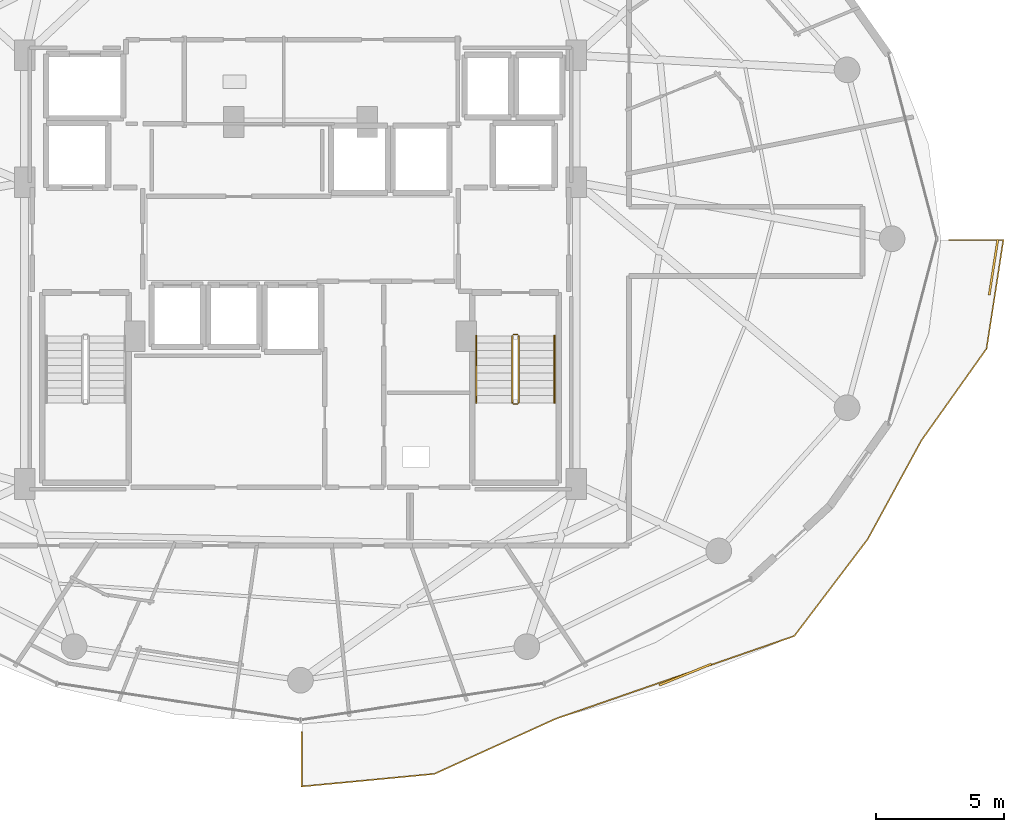
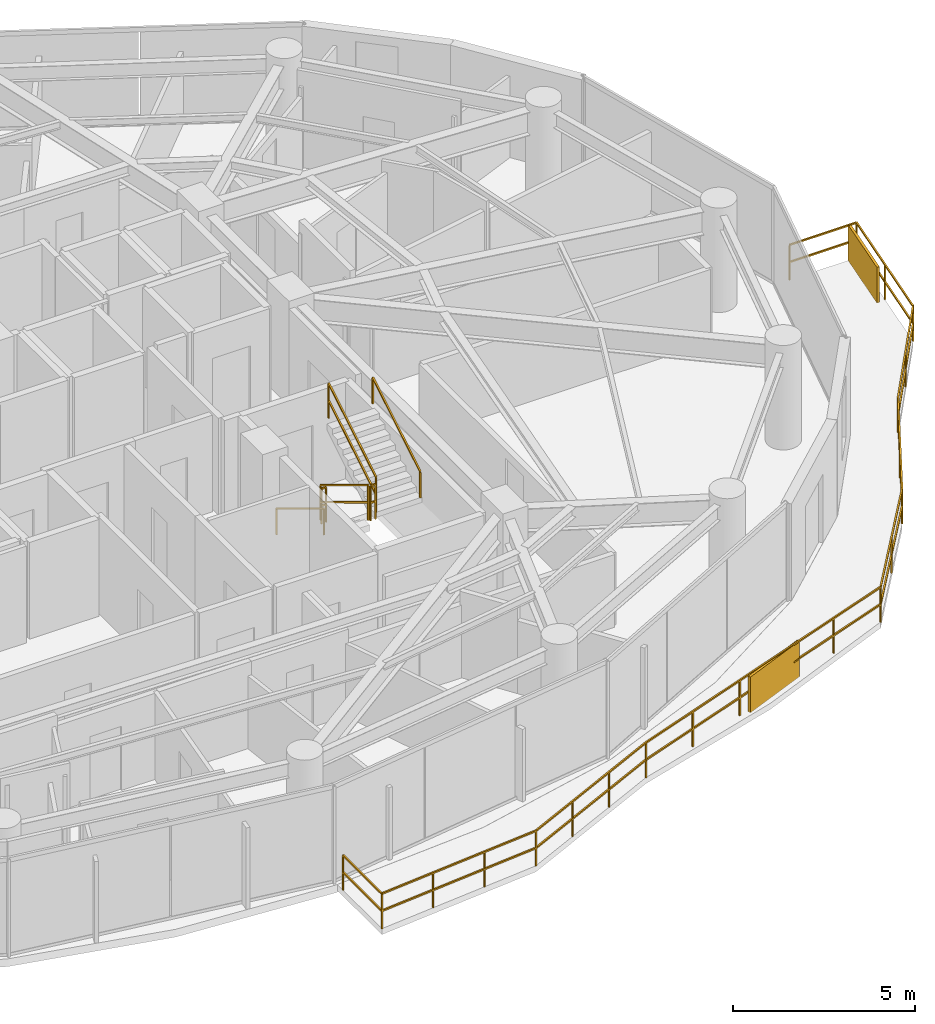
# One storey, part 28 of 30: 8 railings, 2 shading devices.
"""IFC4 building model written with IfcOpenShell, lengths in metres."""

from ifc_helpers import new_model, si_unit, direction, frame, origin, origin_2d, place, context, subcontext, project, spatial, rectangle, extrude, material, type_object, element, save


model = new_model("IFC4")

# Units and contexts
model_context = context("Model", 3, precision=1e-05, world=origin(), true_north=direction((0.0, 1.0)))
body_context = subcontext(model_context, "Body", "Model", "MODEL_VIEW")
ifc_project = project(units=[si_unit("LENGTHUNIT", "METRE"), si_unit("AREAUNIT", "SQUARE_METRE"), si_unit("VOLUMEUNIT", "CUBIC_METRE"), si_unit("PLANEANGLEUNIT", "RADIAN"), si_unit("MASSUNIT", "GRAM", prefix="KILO")], contexts=[model_context])

# Site, building, storey
site_placement = place(None, origin())
site = spatial("IfcSite", under=ifc_project, at=site_placement, CompositionType="ELEMENT")
building_placement = place(site_placement, origin())
building = spatial("IfcBuilding", under=site, at=building_placement, Name="Vorneva Point Tower", CompositionType="ELEMENT")
storey_placement = place(building_placement, frame((0.0, 0.0, 153.60009765625)))
storey = spatial("IfcBuildingStorey", under=building, at=storey_placement, Name="L41", CompositionType="ELEMENT", Elevation=153.60009765625)

# Railings
ifc_material_1 = material(Name="Pale anodised aluminium", Category="aluminium")
railing_type_1 = type_object("IfcRailingType", Name="RL-BAL-1200", PredefinedType="BALUSTRADE", material=ifc_material_1)
railing_1_placement = place(storey_placement, frame((64.73291015625, 21.71875, 0.0)))
element("IfcRailing", 1, at=railing_1_placement, inside=storey, type_object=railing_type_1, Name="L41 Wave Balcony Balustrade SE.1", PredefinedType="BALUSTRADE", context=body_context, shape_type="SweptSolid", body=[
    extrude(rectangle(XDim=0.048095703125, YDim=0.048095703125, at=origin_2d()), frame((0.0, 0.0, 1.17578125), z_axis=(0.152819853891, 0.988254062606, 0.0), x_axis=(-0.988254062606, 0.152819853891, 0.0)), (0.0, 0.0, 1.0), 4.281494140625),
    extrude(rectangle(XDim=0.048095703125, YDim=0.048095703125, at=origin_2d()), frame((0.0, 0.0, 0.60009765625), z_axis=(0.152819853891, 0.988254062606, 0.0), x_axis=(-0.988254062606, 0.152819853891, 0.0)), (0.0, 0.0, 1.0), 4.281494140625),
    extrude(rectangle(XDim=0.048095703125, YDim=0.048095703125, at=origin_2d()), frame((0.654296875, 4.231201171875, 1.17578125), z_axis=(-1.0, 0.0, 0.0), x_axis=(0.0, -1.0, 0.0)), (0.0, 0.0, 1.0), 2.12109375),
    extrude(rectangle(XDim=0.048095703125, YDim=0.048095703125, at=origin_2d()), frame((0.654296875, 4.231201171875, 0.60009765625), z_axis=(-1.0, 0.0, 0.0), x_axis=(0.0, -1.0, 0.0)), (0.0, 0.0, 1.0), 2.12109375),
    extrude(rectangle(XDim=0.0419921875, YDim=0.0419921875, at=origin_2d()), origin(), (0.0, 0.0, 1.0), 1.15185546875),
    extrude(rectangle(XDim=0.0419921875, YDim=0.0419921875, at=origin_2d()), frame((0.3271484375, 2.11572265625, 0.0)), (0.0, 0.0, 1.0), 1.15185546875),
    extrude(rectangle(XDim=0.0419921875, YDim=0.0419921875, at=origin_2d()), frame((0.654296875, 4.231201171875, 0.0)), (0.0, 0.0, 1.0), 1.15185546875),
    extrude(rectangle(XDim=0.0419921875, YDim=0.0419921875, at=origin_2d()), frame((-1.466796875, 4.231201171875, 0.0)), (0.0, 0.0, 1.0), 1.15185546875),
])
railing_2_placement = place(storey_placement, frame((38.050048828125, 6.78271484375, 0.0)))
element("IfcRailing", 2, at=railing_2_placement, inside=storey, type_object=railing_type_1, Name="L41 Wave Balcony Balustrade SE.2", PredefinedType="BALUSTRADE", context=body_context, shape_type="SweptSolid", body=[
    extrude(rectangle(XDim=0.048095703125, YDim=0.048095703125, at=origin_2d()), frame((0.0, 0.0, 1.17578125), z_axis=(0.0, -1.0, 0.0), x_axis=(1.0, 0.0, 0.0)), (0.0, 0.0, 1.0), 2.123046875),
    extrude(rectangle(XDim=0.048095703125, YDim=0.048095703125, at=origin_2d()), frame((0.0, 0.0, 0.60009765625), z_axis=(0.0, -1.0, 0.0), x_axis=(1.0, 0.0, 0.0)), (0.0, 0.0, 1.0), 2.123046875),
    extrude(rectangle(XDim=0.048095703125, YDim=0.048095703125, at=origin_2d()), frame((0.0, -2.123046875, 1.17578125), z_axis=(0.995518701925, 0.094564867243, 0.0), x_axis=(-0.094564867243, 0.995518701925, 0.0)), (0.0, 0.0, 1.0), 5.189208984375),
    extrude(rectangle(XDim=0.048095703125, YDim=0.048095703125, at=origin_2d()), frame((0.0, -2.123046875, 0.60009765625), z_axis=(0.995518701925, 0.094564867243, 0.0), x_axis=(-0.094564867243, 0.995518701925, 0.0)), (0.0, 0.0, 1.0), 5.189208984375),
    extrude(rectangle(XDim=0.048095703125, YDim=0.048095703125, at=origin_2d()), frame((5.166015625, -1.63232421875, 1.17578125), z_axis=(0.910479294849, 0.413554656184, 0.0), x_axis=(-0.413554656184, 0.910479294849, 0.0)), (0.0, 0.0, 1.0), 5.186279296875),
    extrude(rectangle(XDim=0.048095703125, YDim=0.048095703125, at=origin_2d()), frame((5.166015625, -1.63232421875, 0.60009765625), z_axis=(0.910479294849, 0.413554656184, 0.0), x_axis=(-0.413554656184, 0.910479294849, 0.0)), (0.0, 0.0, 1.0), 5.186279296875),
    extrude(rectangle(XDim=0.048095703125, YDim=0.048095703125, at=origin_2d()), frame((9.887939453125, 0.512451171875, 1.17578125), z_axis=(0.944758021877, 0.327768638064, 0.0), x_axis=(-0.327768638064, 0.944758021877, 0.0)), (0.0, 0.0, 1.0), 9.848388671875),
    extrude(rectangle(XDim=0.048095703125, YDim=0.048095703125, at=origin_2d()), frame((9.887939453125, 0.512451171875, 0.60009765625), z_axis=(0.944758021877, 0.327768638064, 0.0), x_axis=(-0.327768638064, 0.944758021877, 0.0)), (0.0, 0.0, 1.0), 9.848388671875),
    extrude(rectangle(XDim=0.048095703125, YDim=0.048095703125, at=origin_2d()), frame((19.1923828125, 3.740478515625, 1.17578125), z_axis=(0.604031248899, 0.796960632876, 0.0), x_axis=(-0.796960632876, 0.604031248899, 0.0)), (0.0, 0.0, 1.0), 4.739013671875),
    extrude(rectangle(XDim=0.048095703125, YDim=0.048095703125, at=origin_2d()), frame((19.1923828125, 3.740478515625, 0.60009765625), z_axis=(0.604031248899, 0.796960632876, 0.0), x_axis=(-0.796960632876, 0.604031248899, 0.0)), (0.0, 0.0, 1.0), 4.739013671875),
    extrude(rectangle(XDim=0.048095703125, YDim=0.048095703125, at=origin_2d()), frame((22.054931640625, 7.517333984375, 1.17578125), z_axis=(0.47774095838, 0.878500755086, 0.0), x_axis=(-0.878500755086, 0.47774095838, 0.0)), (0.0, 0.0, 1.0), 4.373291015625),
    extrude(rectangle(XDim=0.048095703125, YDim=0.048095703125, at=origin_2d()), frame((22.054931640625, 7.517333984375, 0.60009765625), z_axis=(0.47774095838, 0.878500755086, 0.0), x_axis=(-0.878500755086, 0.47774095838, 0.0)), (0.0, 0.0, 1.0), 4.373291015625),
    extrude(rectangle(XDim=0.048095703125, YDim=0.048095703125, at=origin_2d()), frame((24.144287109375, 11.359375, 1.17578125), z_axis=(0.578792383577, 0.815474939354, 0.0), x_axis=(-0.815474939354, 0.578792383577, 0.0)), (0.0, 0.0, 1.0), 4.385986328125),
    extrude(rectangle(XDim=0.048095703125, YDim=0.048095703125, at=origin_2d()), frame((24.144287109375, 11.359375, 0.60009765625), z_axis=(0.578792383577, 0.815474939354, 0.0), x_axis=(-0.815474939354, 0.578792383577, 0.0)), (0.0, 0.0, 1.0), 4.385986328125),
    extrude(rectangle(XDim=0.0419921875, YDim=0.0419921875, at=origin_2d()), origin(), (0.0, 0.0, 1.0), 1.15185546875),
    extrude(rectangle(XDim=0.0419921875, YDim=0.0419921875, at=origin_2d()), frame((0.0, -2.123046875, 0.0)), (0.0, 0.0, 1.0), 1.15185546875),
    extrude(rectangle(XDim=0.0419921875, YDim=0.0419921875, at=origin_2d()), frame((1.721923828125, -1.95947265625, 0.0)), (0.0, 0.0, 1.0), 1.15185546875),
    extrude(rectangle(XDim=0.0419921875, YDim=0.0419921875, at=origin_2d()), frame((3.444091796875, -1.7958984375, 0.0)), (0.0, 0.0, 1.0), 1.15185546875),
    extrude(rectangle(XDim=0.0419921875, YDim=0.0419921875, at=origin_2d()), frame((5.166015625, -1.63232421875, 0.0)), (0.0, 0.0, 1.0), 1.15185546875),
    extrude(rectangle(XDim=0.0419921875, YDim=0.0419921875, at=origin_2d()), frame((6.739990234375, -0.91748046875, 0.0)), (0.0, 0.0, 1.0), 1.15185546875),
    extrude(rectangle(XDim=0.0419921875, YDim=0.0419921875, at=origin_2d()), frame((8.31396484375, -0.202392578125, 0.0)), (0.0, 0.0, 1.0), 1.15185546875),
    extrude(rectangle(XDim=0.0419921875, YDim=0.0419921875, at=origin_2d()), frame((9.887939453125, 0.512451171875, 0.0)), (0.0, 0.0, 1.0), 1.15185546875),
    extrude(rectangle(XDim=0.0419921875, YDim=0.0419921875, at=origin_2d()), frame((11.748779296875, 1.157958984375, 0.0)), (0.0, 0.0, 1.0), 1.15185546875),
    extrude(rectangle(XDim=0.0419921875, YDim=0.0419921875, at=origin_2d()), frame((13.609619140625, 1.8037109375, 0.0)), (0.0, 0.0, 1.0), 1.15185546875),
    extrude(rectangle(XDim=0.0419921875, YDim=0.0419921875, at=origin_2d()), frame((15.470703125, 2.44921875, 0.0)), (0.0, 0.0, 1.0), 1.15185546875),
    extrude(rectangle(XDim=0.0419921875, YDim=0.0419921875, at=origin_2d()), frame((17.33154296875, 3.094970703125, 0.0)), (0.0, 0.0, 1.0), 1.15185546875),
    extrude(rectangle(XDim=0.0419921875, YDim=0.0419921875, at=origin_2d()), frame((19.1923828125, 3.740478515625, 0.0)), (0.0, 0.0, 1.0), 1.15185546875),
    extrude(rectangle(XDim=0.0419921875, YDim=0.0419921875, at=origin_2d()), frame((20.62353515625, 5.62890625, 0.0)), (0.0, 0.0, 1.0), 1.15185546875),
    extrude(rectangle(XDim=0.0419921875, YDim=0.0419921875, at=origin_2d()), frame((22.054931640625, 7.517333984375, 0.0)), (0.0, 0.0, 1.0), 1.15185546875),
    extrude(rectangle(XDim=0.0419921875, YDim=0.0419921875, at=origin_2d()), frame((23.099609375, 9.4384765625, 0.0)), (0.0, 0.0, 1.0), 1.15185546875),
    extrude(rectangle(XDim=0.0419921875, YDim=0.0419921875, at=origin_2d()), frame((24.144287109375, 11.359375, 0.0)), (0.0, 0.0, 1.0), 1.15185546875),
    extrude(rectangle(XDim=0.0419921875, YDim=0.0419921875, at=origin_2d()), frame((25.41357421875, 13.147705078125, 0.0)), (0.0, 0.0, 1.0), 1.15185546875),
    extrude(rectangle(XDim=0.0419921875, YDim=0.0419921875, at=origin_2d()), frame((26.682861328125, 14.93603515625, 0.0)), (0.0, 0.0, 1.0), 1.15185546875),
])
ifc_material_2 = material(Name="Brushed stainless steel S304", Category="steel")
railing_type_2 = type_object("IfcRailingType", Name="RL-HND-920", PredefinedType="HANDRAIL", material=ifc_material_2)
railing_3_placement = place(storey_placement, frame((44.85009765625, 22.219970703125, 0.1748046875)))
element("IfcRailing", 3, at=railing_3_placement, inside=storey, type_object=railing_type_2, Name="L41 ST2 stair handrail 1", PredefinedType="HANDRAIL", context=body_context, shape_type="SweptSolid", body=[
    extrude(rectangle(XDim=0.048095703125, YDim=0.048095703125, at=origin_2d()), frame((0.0, 0.0, 0.8759765625), z_axis=(0.0, -0.856147343639, 0.516731773728), x_axis=(1.0, 0.0, 0.0)), (0.0, 0.0, 1.0), 3.04833984375),
    extrude(rectangle(XDim=0.0419921875, YDim=0.0419921875, at=origin_2d()), origin(), (0.0, 0.0, 1.0), 0.851806640625),
    extrude(rectangle(XDim=0.0419921875, YDim=0.0419921875, at=origin_2d()), frame((0.0, -2.60986328125, 1.5751953125)), (0.0, 0.0, 1.0), 0.851806640625),
])
railing_4_placement = place(storey_placement, frame((47.89990234375, 19.610107421875, 1.9248046875)))
element("IfcRailing", 4, at=railing_4_placement, inside=storey, type_object=railing_type_2, Name="L41 ST2 stair handrail 2", PredefinedType="HANDRAIL", context=body_context, shape_type="SweptSolid", body=[
    extrude(rectangle(XDim=0.048095703125, YDim=0.048095703125, at=origin_2d()), frame((0.0, 0.0, 0.8759765625), z_axis=(0.0, 0.856147343639, 0.516731773728), x_axis=(-1.0, 0.0, 0.0)), (0.0, 0.0, 1.0), 3.04833984375),
    extrude(rectangle(XDim=0.0419921875, YDim=0.0419921875, at=origin_2d()), origin(), (0.0, 0.0, 1.0), 0.851806640625),
    extrude(rectangle(XDim=0.0419921875, YDim=0.0419921875, at=origin_2d()), frame((0.0, 2.60986328125, 1.5751953125)), (0.0, 0.0, 1.0), 0.851806640625),
])
railing_type_3 = type_object("IfcRailingType", Name="RL-STG-1100", PredefinedType="GUARDRAIL", material=ifc_material_2)
railing_5_placement = place(storey_placement, frame((46.25, 22.219970703125, 0.1748046875)))
element("IfcRailing", 5, at=railing_5_placement, inside=storey, type_object=railing_type_3, Name="L41 ST2 stair guard 1", PredefinedType="GUARDRAIL", context=body_context, shape_type="SweptSolid", body=[
    extrude(rectangle(XDim=0.048095703125, YDim=0.048095703125, at=origin_2d()), frame((0.0, 0.0, 1.17578125), z_axis=(0.0, -0.856147343639, 0.516731773728), x_axis=(1.0, 0.0, 0.0)), (0.0, 0.0, 1.0), 3.04833984375),
    extrude(rectangle(XDim=0.048095703125, YDim=0.048095703125, at=origin_2d()), frame((0.0, 0.0, 0.60009765625), z_axis=(0.0, -0.856147343639, 0.516731773728), x_axis=(1.0, 0.0, 0.0)), (0.0, 0.0, 1.0), 3.04833984375),
    extrude(rectangle(XDim=0.0419921875, YDim=0.0419921875, at=origin_2d()), origin(), (0.0, 0.0, 1.0), 1.15185546875),
    extrude(rectangle(XDim=0.0419921875, YDim=0.0419921875, at=origin_2d()), frame((0.0, -2.60986328125, 1.5751953125)), (0.0, 0.0, 1.0), 1.15185546875),
])
railing_6_placement = place(storey_placement, frame((46.300048828125, 19.56005859375, 1.75)))
element("IfcRailing", 6, at=railing_6_placement, inside=storey, type_object=railing_type_3, Name="L41 ST2 stair guard 2", PredefinedType="GUARDRAIL", context=body_context, shape_type="SweptSolid", body=[
    extrude(rectangle(XDim=0.048095703125, YDim=0.048095703125, at=origin_2d()), frame((0.0, 0.0, 1.17578125), z_axis=(1.0, 0.0, 0.0), x_axis=(0.0, 1.0, 0.0)), (0.0, 0.0, 1.0), 0.14990234375),
    extrude(rectangle(XDim=0.048095703125, YDim=0.048095703125, at=origin_2d()), frame((0.0, 0.0, 0.60009765625), z_axis=(1.0, 0.0, 0.0), x_axis=(0.0, 1.0, 0.0)), (0.0, 0.0, 1.0), 0.14990234375),
    extrude(rectangle(XDim=0.0419921875, YDim=0.0419921875, at=origin_2d()), origin(), (0.0, 0.0, 1.0), 1.15185546875),
    extrude(rectangle(XDim=0.0419921875, YDim=0.0419921875, at=origin_2d()), frame((0.14990234375, 0.0, 0.0)), (0.0, 0.0, 1.0), 1.15185546875),
])
railing_7_placement = place(storey_placement, frame((46.5, 19.610107421875, 1.9248046875)))
element("IfcRailing", 7, at=railing_7_placement, inside=storey, type_object=railing_type_3, Name="L41 ST2 stair guard 3", PredefinedType="GUARDRAIL", context=body_context, shape_type="SweptSolid", body=[
    extrude(rectangle(XDim=0.048095703125, YDim=0.048095703125, at=origin_2d()), frame((0.0, 0.0, 1.17578125), z_axis=(0.0, 0.856147343639, 0.516731773728), x_axis=(-1.0, 0.0, 0.0)), (0.0, 0.0, 1.0), 3.04833984375),
    extrude(rectangle(XDim=0.048095703125, YDim=0.048095703125, at=origin_2d()), frame((0.0, 0.0, 0.60009765625), z_axis=(0.0, 0.856147343639, 0.516731773728), x_axis=(-1.0, 0.0, 0.0)), (0.0, 0.0, 1.0), 3.04833984375),
    extrude(rectangle(XDim=0.0419921875, YDim=0.0419921875, at=origin_2d()), origin(), (0.0, 0.0, 1.0), 1.15185546875),
    extrude(rectangle(XDim=0.0419921875, YDim=0.0419921875, at=origin_2d()), frame((0.0, 2.60986328125, 1.5751953125)), (0.0, 0.0, 1.0), 1.15185546875),
])
railing_8_placement = place(storey_placement, frame((46.300048828125, 22.27001953125, 0.0)))
element("IfcRailing", 8, at=railing_8_placement, inside=storey, type_object=railing_type_3, Name="L41 ST2 stair guard 4", PredefinedType="GUARDRAIL", context=body_context, shape_type="SweptSolid", body=[
    extrude(rectangle(XDim=0.048095703125, YDim=0.048095703125, at=origin_2d()), frame((0.0, 0.0, 1.17578125), z_axis=(1.0, 0.0, 0.0), x_axis=(0.0, 1.0, 0.0)), (0.0, 0.0, 1.0), 0.14990234375),
    extrude(rectangle(XDim=0.048095703125, YDim=0.048095703125, at=origin_2d()), frame((0.0, 0.0, 0.60009765625), z_axis=(1.0, 0.0, 0.0), x_axis=(0.0, 1.0, 0.0)), (0.0, 0.0, 1.0), 0.14990234375),
    extrude(rectangle(XDim=0.0419921875, YDim=0.0419921875, at=origin_2d()), origin(), (0.0, 0.0, 1.0), 1.15185546875),
    extrude(rectangle(XDim=0.0419921875, YDim=0.0419921875, at=origin_2d()), frame((0.14990234375, 0.0, 0.0)), (0.0, 0.0, 1.0), 1.15185546875),
])

# Shading devices
shading_device_type = type_object("IfcShadingDeviceType", Name="SHD-JAL-1200", PredefinedType="JALOUSIE", material=ifc_material_1)
for number, where, z_axis, x_axis, name in (
    (9, (65.00244140625, 24.8916015625, -0.02001953125), (0.0, 0.0, 1.0), (0.152865100269, 0.988247064817, 0.0), "L41 Balcony Vertical-Greenery Planter Screen SE.1"),
    (10, (52.992431640625, 9.018310546875, -0.02001953125), (0.0, 0.0, 1.0), (0.926272328518, 0.376854843968, 0.0), "L41 Balcony Vertical-Greenery Planter Screen SE.2"),
):
    element("IfcShadingDevice", number, at=place(storey_placement, frame(where, z_axis=z_axis, x_axis=x_axis)), inside=storey, type_object=shading_device_type, Name=name, PredefinedType="JALOUSIE", context=body_context, shape_type="SweptSolid", body=[
        extrude(rectangle(XDim=2.199951171875, YDim=0.080078125, at=origin_2d()), origin(), (0.0, 0.0, 1.0), 1.199951171875),
    ])

save(model, "model.ifc")
